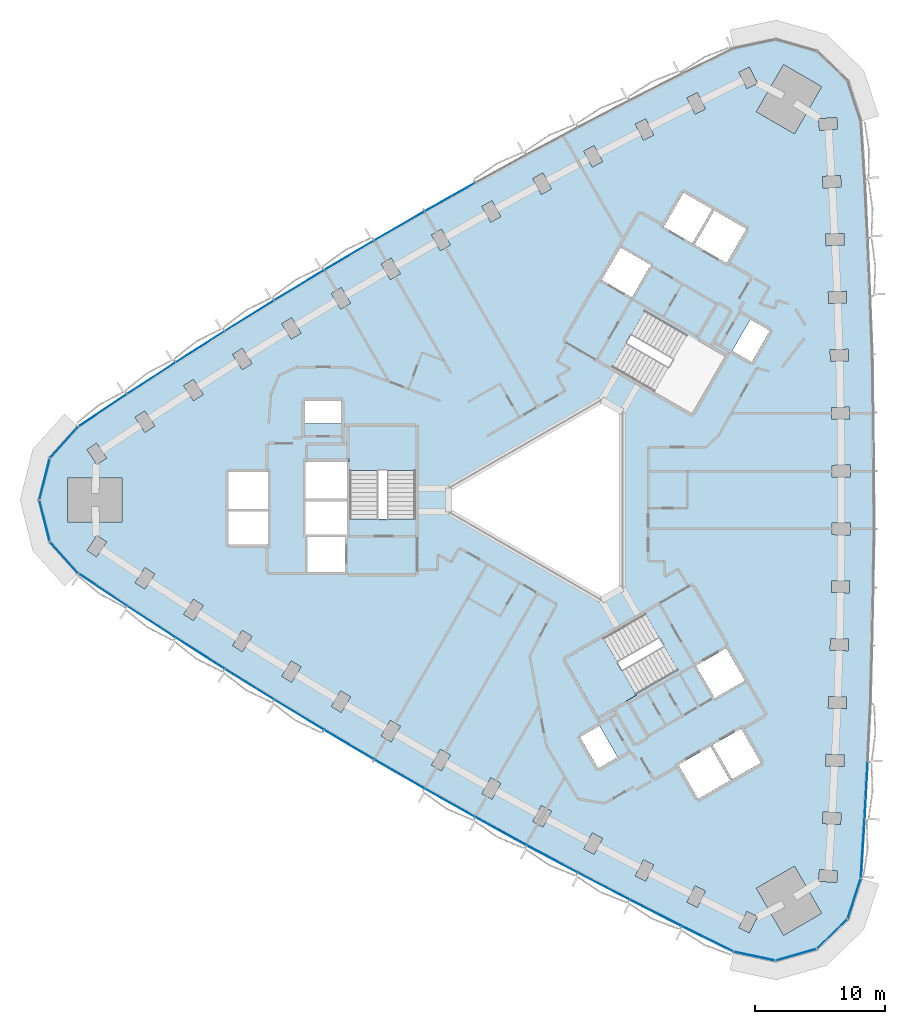
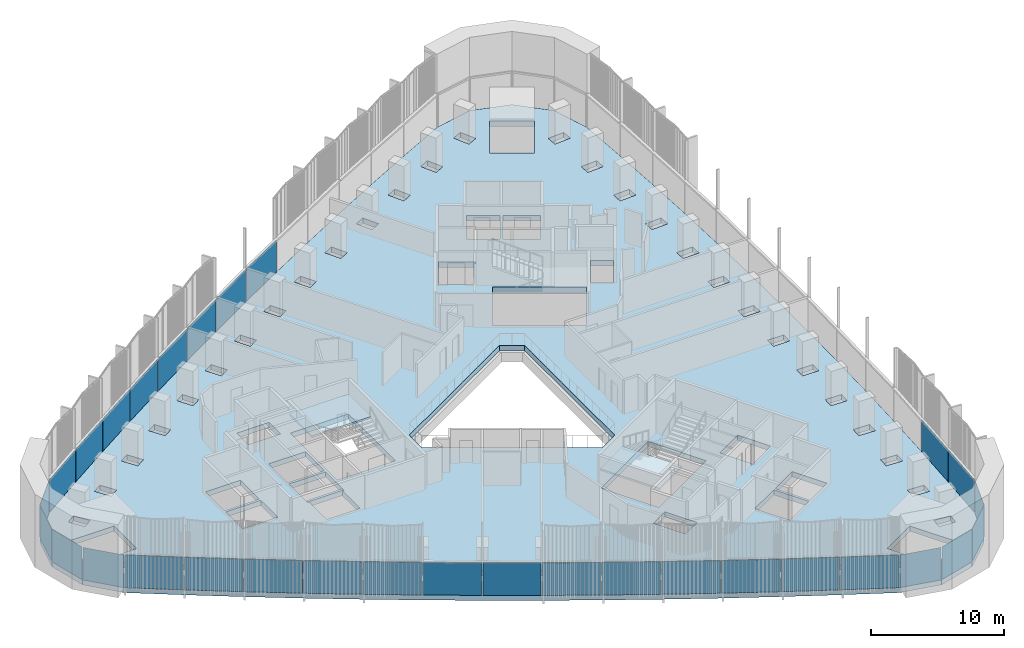
# One storey, part 8 of 16: 31 plates, 3 slabs, 5 elements without a shape of their own.
"""IFC4 building model written with IfcOpenShell, lengths in metres."""

import ifcopenshell
import ifcopenshell.guid

model = None  # the IFC model being written
_history = None  # IfcOwnerHistory: only IFC2X3 demands one
_inside = {}  # id of a spatial element -> (the spatial element, [elements in it])
_under = {}  # id of a project, library or spatial element -> (it, [spatial elements below it])
_declared = {}  # id of a project -> (the project, [libraries it declares])
_typed = {}  # id of a type object -> (the type object, [elements of that type])
_made_of = {}  # id of a material, layer set ... -> (it, [elements and type objects made of it])


def new_model(schema):
    """Start an empty IFC model of exactly this schema.

    Asked for "IFC4X3", IfcOpenShell would pick the latest addendum, in which some entities
    have other attributes; the version numbers below select the first issue.
    IFC2X3 requires an IfcOwnerHistory on every rooted entity: one is made here for all.
    """
    global model, _history
    if schema == "IFC4X3":
        model = ifcopenshell.file(schema_version=(4, 3, 0, 0))
    else:
        model = ifcopenshell.file(schema=schema)
    _inside.clear()
    _under.clear()
    _declared.clear()
    _typed.clear()
    _made_of.clear()
    _history = None
    if model.schema == "IFC2X3":
        org = make("IfcOrganization", Name="unknown")
        user = make(
            "IfcPersonAndOrganization",
            ThePerson=make("IfcPerson", FamilyName="unknown"),
            TheOrganization=org,
        )
        app = make(
            "IfcApplication",
            ApplicationDeveloper=org,
            Version="unknown",
            ApplicationFullName="unknown",
            ApplicationIdentifier="unknown",
        )
        _history = make(
            "IfcOwnerHistory",
            OwningUser=user,
            OwningApplication=app,
            ChangeAction="ADDED",
            CreationDate=0,
        )
    return model


def make(cls, **values):
    """One entity of the class cls with the attributes given. An attribute that is None is left unset."""
    return model.create_entity(
        cls, **{name: value for name, value in values.items() if value is not None}
    )


def rooted(cls, **values):
    """An entity with a GlobalId (a new one), such as an element, a storey or a relation."""
    return make(cls, GlobalId=ifcopenshell.guid.new(), OwnerHistory=_history, **values)


def si_unit(unit_type, name, prefix=None):
    """IfcSIUnit, for example si_unit("LENGTHUNIT", "METRE", prefix="MILLI")."""
    return make("IfcSIUnit", UnitType=unit_type, Prefix=prefix, Name=name)


def assignment(units):
    """IfcUnitAssignment: the units of a project."""
    return None if units is None else make("IfcUnitAssignment", Units=units)


def point(xyz):
    """IfcCartesianPoint."""
    return None if xyz is None else make("IfcCartesianPoint", Coordinates=xyz)


def direction(xyz):
    """IfcDirection."""
    return None if xyz is None else make("IfcDirection", DirectionRatios=xyz)


def frame(location, z_axis=None, x_axis=None):
    """IfcAxis2Placement3D, a coordinate frame: its origin and axes. An axis left out is left unset."""
    return make(
        "IfcAxis2Placement3D",
        Location=point(location),
        Axis=direction(z_axis),
        RefDirection=direction(x_axis),
    )


def frame_2d(location, x_axis=None):
    """IfcAxis2Placement2D, a coordinate frame in the plane: its origin and x axis."""
    return make(
        "IfcAxis2Placement2D", Location=point(location), RefDirection=direction(x_axis)
    )


def origin():
    """The frame at (0, 0, 0) with its axes left unset."""
    return frame((0.0, 0.0, 0.0))


def origin_2d():
    """The frame at (0, 0) in the plane with its x axis left unset."""
    return frame_2d((0.0, 0.0))


def place(relative_to, where):
    """IfcLocalPlacement: puts the frame where relative to a parent placement (None: the world)."""
    return make(
        "IfcLocalPlacement", PlacementRelTo=relative_to, RelativePlacement=where
    )


def context(
    kind, dimensions, precision=None, world=None, true_north=None, identifier=None
):
    """IfcGeometricRepresentationContext, for example the 3D "Model" context."""
    return make(
        "IfcGeometricRepresentationContext",
        ContextIdentifier=identifier,
        ContextType=kind,
        CoordinateSpaceDimension=dimensions,
        Precision=precision,
        WorldCoordinateSystem=world,
        TrueNorth=true_north,
    )


def subcontext(parent, identifier, kind, view, scale=None):
    """IfcGeometricRepresentationSubContext, for example "Body" below "Model"."""
    return make(
        "IfcGeometricRepresentationSubContext",
        ContextIdentifier=identifier,
        ContextType=kind,
        ParentContext=parent,
        TargetScale=scale,
        TargetView=view,
    )


def project(units=None, contexts=None):
    """IfcProject with its units and contexts."""
    return rooted(
        "IfcProject",
        Name="project",
        RepresentationContexts=contexts,
        UnitsInContext=assignment(units),
    )


def spatial(cls, under=None, at=None, **own):
    """A site, building, storey or space (cls), placed at a placement, below another one or the project."""
    s = rooted(cls, ObjectPlacement=at, **own)
    if under is not None:
        _under.setdefault(under.id(), (under, []))[1].append(s)
    return s


def polyline(points):
    """IfcPolyline through the points."""
    return make("IfcPolyline", Points=[point(p) for p in points])


def profile(cls, at=None, kind="AREA", **sizes):
    """A parametric profile (cls). Its sizes go by their IFC names, for example OverallWidth=200.0."""
    return make(cls, ProfileType=kind, Position=at, **sizes)


def rectangle(**sizes):
    """IfcRectangleProfileDef."""
    return profile("IfcRectangleProfileDef", **sizes)


def outline(outer, holes=None, kind="AREA"):
    """IfcArbitraryClosedProfileDef: a profile drawn as a closed curve; with holes, ...WithVoids."""
    if holes is None:
        return make("IfcArbitraryClosedProfileDef", ProfileType=kind, OuterCurve=outer)
    return make(
        "IfcArbitraryProfileDefWithVoids",
        ProfileType=kind,
        OuterCurve=outer,
        InnerCurves=holes,
    )


def extrude(swept, where, along, depth):
    """IfcExtrudedAreaSolid: the profile swept, set in the frame where, extruded along a direction by depth."""
    return make(
        "IfcExtrudedAreaSolid",
        SweptArea=swept,
        Position=where,
        ExtrudedDirection=direction(along),
        Depth=depth,
    )


def shape(context_of_items, identifier, shape_type, items):
    """IfcShapeRepresentation: the items that make up one representation, for example the "Body"."""
    return make(
        "IfcShapeRepresentation",
        ContextOfItems=context_of_items,
        RepresentationIdentifier=identifier,
        RepresentationType=shape_type,
        Items=items,
    )


def material(Name=None, Category=None):
    """IfcMaterial."""
    return make("IfcMaterial", Name=Name, Category=Category)


def layer(
    of_material, thickness, ventilated=None, Name=None, Category=None, Priority=None
):
    """IfcMaterialLayer: one layer of a wall or slab, of a material (None: an air gap)."""
    return make(
        "IfcMaterialLayer",
        Material=of_material,
        LayerThickness=thickness,
        IsVentilated=ventilated,
        Name=Name,
        Category=Category,
        Priority=Priority,
    )


def layer_set(layers, Name=None):
    """IfcMaterialLayerSet."""
    return make("IfcMaterialLayerSet", MaterialLayers=layers, LayerSetName=Name)


def made_of(thing, what):
    """Note that an element or type object is made of a material, layer set ...; save() writes the relation."""
    if what is not None:
        _made_of.setdefault(what.id(), (what, []))[1].append(thing)
    return thing


def type_object(cls, material=None, **own):
    """A type object (cls), such as IfcWallType, which elements share."""
    return made_of(rooted(cls, **own), material)


def element(
    cls,
    number,
    at=None,
    inside=None,
    cuts=None,
    type_object=None,
    material=None,
    context=None,
    identifier="Body",
    shape_type=None,
    held_by="IfcProductDefinitionShape",
    body=None,
    shapes=None,
    **own,
):
    """One element of the class cls, such as IfcWall. Its Tag is "e" and its number.

    at: its placement. inside: the storey or other place that contains it. cuts: it is an
    opening in that element (IfcRelVoidsElement). A single representation is given by context,
    identifier, shape_type and body (its items); several are given by shapes. held_by: the class
    of the entity that holds the representations. save() writes the other relations.
    """
    e = rooted(cls, Tag="e%d" % number, ObjectPlacement=at, **own)
    if body is not None:
        shapes = [shape(context, identifier, shape_type, body)]
    if shapes is not None:
        e.Representation = make(held_by, Representations=shapes)
    if inside is not None:
        _inside.setdefault(inside.id(), (inside, []))[1].append(e)
    if cuts is not None:
        rooted(
            "IfcRelVoidsElement", RelatingBuildingElement=cuts, RelatedOpeningElement=e
        )
    if type_object is not None:
        _typed.setdefault(type_object.id(), (type_object, []))[1].append(e)
    return made_of(e, material)


def aggregate(whole, parts):
    """IfcRelAggregates: a whole, such as a stair, and the parts it consists of."""
    return rooted("IfcRelAggregates", RelatingObject=whole, RelatedObjects=parts)


def save(model, path):
    """Write the relations noted so far, then the file.

    IfcRelAggregates (storeys below a building ...), IfcRelContainedInSpatialStructure (elements
    in a storey), IfcRelDefinesByType, IfcRelAssociatesMaterial and IfcRelDeclares: one each for
    every whole, place, type object, material and project.
    """
    for whole, parts in _under.values():
        aggregate(whole, parts)
    for where, things in _inside.values():
        rooted(
            "IfcRelContainedInSpatialStructure",
            RelatedElements=things,
            RelatingStructure=where,
        )
    for kind, things in _typed.values():
        rooted("IfcRelDefinesByType", RelatedObjects=things, RelatingType=kind)
    for what, things in _made_of.values():
        rooted("IfcRelAssociatesMaterial", RelatedObjects=things, RelatingMaterial=what)
    for by, libraries in _declared.values():
        rooted("IfcRelDeclares", RelatingContext=by, RelatedDefinitions=libraries)
    model.write(path)


model = new_model("IFC4")

# Units and contexts
model_context = context("Model", 3, precision=1e-05, world=origin(), true_north=direction((0.0, 1.0)))
body_context = subcontext(model_context, "Body", "Model", "MODEL_VIEW")
ifc_project = project(units=[si_unit("LENGTHUNIT", "METRE"), si_unit("AREAUNIT", "SQUARE_METRE"), si_unit("VOLUMEUNIT", "CUBIC_METRE"), si_unit("PLANEANGLEUNIT", "RADIAN"), si_unit("MASSUNIT", "GRAM", prefix="KILO")], contexts=[model_context])

# Site, building, storey
site_placement = place(None, origin())
site = spatial("IfcSite", under=ifc_project, at=site_placement, CompositionType="ELEMENT")
building_placement = place(site_placement, origin())
building = spatial("IfcBuilding", under=site, at=building_placement, Name="Tamra Quay Hotel Tower", CompositionType="ELEMENT")
storey_placement = place(building_placement, frame((0.0, 0.0, 56.60009765625)))
storey = spatial("IfcBuildingStorey", under=building, at=storey_placement, Name="L12", CompositionType="ELEMENT", Elevation=56.60009765625)

# Stair, slab
ifc_material_1 = material(Name="Exit stair 2200 24 risers 150.0 going 342")
stair_type = type_object("IfcStairType", Name="Exit stair 2200 24 risers 150.0 going 342", PredefinedType="HALF_TURN_STAIR", material=ifc_material_1)
stair_1_placement = place(storey_placement, origin())
stair_1 = element("IfcStair", 1, at=stair_1_placement, inside=storey, type_object=stair_type, Name="L12 Exit stair ST3", PredefinedType="HALF_TURN_STAIR")
ifc_material_2 = material(Name="Concrete M70", Category="concrete")
ifc_layer_1 = layer(ifc_material_2, 0.175048828125)
ifc_layer_set_1 = layer_set([ifc_layer_1], Name="Concrete M70 stair landing 180")
slab_type_1 = type_object("IfcSlabType", Name="Concrete M70 stair landing 180", PredefinedType="LANDING", material=ifc_layer_set_1)
slab_1_placement = place(storey_placement, frame((0.0, 0.0, 1.625)))
slab_1 = element("IfcSlab", 2, at=slab_1_placement, type_object=slab_type_1, Name="ST3 landing 1", PredefinedType="LANDING", context=body_context, shape_type="SweptSolid", body=[
    extrude(outline(polyline([(-10.932373046875, 2.261962890625), (-10.932373046875, 5.679931640625), (-16.09130859375, 5.679931640625), (-16.09130859375, 2.261962890625), (-10.932373046875, 2.261962890625)])), origin(), (0.0, 0.0, 1.0), 0.1748046875),
])
aggregate(stair_1, [slab_1])

stair_2_placement = place(storey_placement, origin())
stair_2 = element("IfcStair", 3, at=stair_2_placement, inside=storey, type_object=stair_type, Name="L12 Exit stair ST2", PredefinedType="HALF_TURN_STAIR")
slab_2_placement = place(storey_placement, frame((0.0, 0.0, 1.625)))
slab_2 = element("IfcSlab", 4, at=slab_2_placement, type_object=slab_type_1, Name="ST2 landing 1", PredefinedType="LANDING", context=body_context, shape_type="SweptSolid", body=[
    extrude(outline(polyline([(3.50732421875, -10.5986328125), (0.547119140625, -12.3076171875), (3.126708984375, -16.775390625), (6.086669921875, -15.06640625), (3.50732421875, -10.5986328125)])), origin(), (0.0, 0.0, 1.0), 0.1748046875),
])
aggregate(stair_2, [slab_2])

# Slab
ifc_material_3 = material(Name="Concrete M60", Category="concrete")
ifc_layer_2 = layer(ifc_material_3, 0.47509765625)
ifc_layer_set_2 = layer_set([ifc_layer_2], Name="FLOOR SLAB PT 475")
slab_type_2 = type_object("IfcSlabType", Name="FLOOR SLAB PT 475", PredefinedType="FLOOR", material=ifc_layer_set_2)
slab_3_placement = place(storey_placement, frame((0.0, 0.0, -0.47509765625)))
element("IfcSlab", 5, at=slab_3_placement, inside=storey, type_object=slab_type_2, Name="SLAB-L12", PredefinedType="FLOOR", context=body_context, shape_type="SweptSolid", body=[
    extrude(outline(polyline([(23.699951171875, 24.723876953125), (23.943115234375, 20.231689453125), (24.137939453125, 15.738525390625), (24.283935546875, 11.24365234375), (24.38134765625, 6.74560546875), (24.43017578125, 2.248779296875), (24.43017578125, -2.248779296875), (24.38134765625, -6.74560546875), (24.283935546875, -11.24365234375), (24.137939453125, -15.738525390625), (23.943115234375, -20.231689453125), (23.699951171875, -24.723876953125), (23.40869140625, -29.210693359375), (22.386474609375, -32.356201171875), (20.00732421875, -34.65380859375), (16.828125, -35.5654296875), (13.593017578125, -34.877685546875), (9.5615234375, -32.88671875), (5.54931640625, -30.851318359375), (1.56103515625, -28.773193359375), (-2.40478515625, -26.65234375), (-6.3486328125, -24.48779296875), (-10.267578125, -22.281494140625), (-14.162353515625, -20.03271484375), (-18.03271484375, -17.741943359375), (-21.879150390625, -15.40869140625), (-25.698974609375, -13.034912109375), (-29.49267578125, -10.61962890625), (-33.261474609375, -8.162841796875), (-37.001708984375, -5.6669921875), (-39.214599609375, -3.208984375), (-40.0146484375, 0.0), (-39.214599609375, 3.208984375), (-37.001708984375, 5.6669921875), (-33.261474609375, 8.162841796875), (-29.49267578125, 10.61962890625), (-25.698974609375, 13.034912109375), (-21.879150390625, 15.40869140625), (-18.03271484375, 17.741943359375), (-14.162353515625, 20.03271484375), (-10.267578125, 22.281494140625), (-6.3486328125, 24.48779296875), (-2.40478515625, 26.65234375), (1.56103515625, 28.773193359375), (5.54931640625, 30.851318359375), (9.5615234375, 32.88671875), (13.593017578125, 34.877685546875), (16.828125, 35.5654296875), (20.00732421875, 34.65380859375), (22.386474609375, 32.356201171875), (23.40869140625, 29.210693359375), (23.699951171875, 24.723876953125)]), holes=[polyline([(-17.475830078125, -15.935791015625), (-16.70361328125, -16.39794921875), (-15.984375, -15.19677734375), (-16.756591796875, -14.734619140625), (-17.475830078125, -15.935791015625)]), polyline([(-20.56884765625, -12.416015625), (-21.3017578125, -13.60888671875), (-20.534912109375, -14.080078125), (-19.802001953125, -12.88720703125), (-20.56884765625, -12.416015625)]), polyline([(-24.357177734375, -10.05615234375), (-25.102294921875, -11.2412109375), (-24.340576171875, -11.72021484375), (-23.59521484375, -10.53515625), (-24.357177734375, -10.05615234375)]), polyline([(-28.11962890625, -7.6552734375), (-28.87744140625, -8.83251953125), (-28.12060546875, -9.319580078125), (-27.36279296875, -8.142578125), (-28.11962890625, -7.6552734375)]), polyline([(-31.854736328125, -5.21435546875), (-32.6259765625, -6.3828125), (-31.874755859375, -6.878662109375), (-31.103515625, -5.710205078125), (-31.854736328125, -5.21435546875)]), polyline([(-16.3173828125, -2.85498046875), (-19.4072265625, -2.85498046875), (-19.4072265625, -2.89306640625), (-19.307373046875, -2.89306640625), (-19.307373046875, -5.544921875), (-16.417236328125, -5.544921875), (-16.417236328125, -2.89306640625), (-16.3173828125, -2.89306640625), (-16.3173828125, -2.85498046875)]), polyline([(-35.565185546875, -2.73291015625), (-36.347900390625, -3.8935546875), (-35.601806640625, -4.396728515625), (-34.819091796875, -3.236083984375), (-35.565185546875, -2.73291015625)]), polyline([(-22.3671875, -3.445068359375), (-22.3671875, -0.905029296875), (-25.4072265625, -0.905029296875), (-25.4072265625, -3.445068359375), (-22.3671875, -3.445068359375)]), polyline([(-19.417236328125, -2.89306640625), (-19.417236328125, -2.64501953125), (-16.307373046875, -2.64501953125), (-16.307373046875, -2.89306640625), (-16.26708984375, -2.89306640625), (-16.26708984375, -0.10498046875), (-19.45751953125, -0.10498046875), (-19.45751953125, -2.89306640625), (-19.417236328125, -2.89306640625)]), polyline([(-33.62890625, 1.699951171875), (-37.828857421875, 1.699951171875), (-37.828857421875, -1.699951171875), (-33.62890625, -1.699951171875), (-33.62890625, 1.699951171875)]), polyline([(-25.4072265625, -0.695068359375), (-22.3671875, -0.695068359375), (-22.3671875, 2.14501953125), (-25.4072265625, 2.14501953125), (-25.4072265625, -0.695068359375)]), polyline([(-19.45751953125, 0.10498046875), (-16.26708984375, 0.10498046875), (-16.26708984375, 2.945068359375), (-19.45751953125, 2.945068359375), (-19.45751953125, 0.10498046875)]), polyline([(-16.036376953125, -1.455078125), (-10.9873046875, -1.455078125), (-10.9873046875, 5.625), (-16.036376953125, 5.625), (-16.036376953125, -1.455078125)]), polyline([(-34.819091796875, 3.236083984375), (-35.601806640625, 4.396728515625), (-36.347900390625, 3.8935546875), (-35.565185546875, 2.73291015625), (-34.819091796875, 3.236083984375)]), polyline([(-31.103515625, 5.710205078125), (-31.874755859375, 6.878662109375), (-32.6259765625, 6.3828125), (-31.854736328125, 5.21435546875), (-31.103515625, 5.710205078125)]), polyline([(-16.71728515625, 7.64501953125), (-19.50732421875, 7.64501953125), (-19.50732421875, 5.9150390625), (-16.71728515625, 5.9150390625), (-16.71728515625, 7.64501953125)]), polyline([(-27.36279296875, 8.142578125), (-28.12060546875, 9.319580078125), (-28.87744140625, 8.83251953125), (-28.11962890625, 7.6552734375), (-27.36279296875, 8.142578125)]), polyline([(-23.59521484375, 10.53515625), (-24.340576171875, 11.72021484375), (-25.102294921875, 11.2412109375), (-24.357177734375, 10.05615234375), (-23.59521484375, 10.53515625)]), polyline([(-19.802001953125, 12.88720703125), (-20.534912109375, 14.080078125), (-21.3017578125, 13.60888671875), (-20.56884765625, 12.416015625), (-19.802001953125, 12.88720703125)]), polyline([(-15.984375, 15.19677734375), (-16.70361328125, 16.39794921875), (-17.475830078125, 15.935791015625), (-16.756591796875, 14.734619140625), (-15.984375, 15.19677734375)]), polyline([(-12.141357421875, 17.466064453125), (-12.84765625, 18.6748046875), (-13.624755859375, 18.220703125), (-12.918212890625, 17.011962890625), (-12.141357421875, 17.466064453125)]), polyline([(10.606689453125, -29.79150390625), (9.980224609375, -31.04345703125), (10.78515625, -31.4462890625), (11.41162109375, -30.194091796875), (10.606689453125, -29.79150390625)]), polyline([(6.6298828125, -27.76806640625), (5.9892578125, -29.012939453125), (6.78955078125, -29.4248046875), (7.43017578125, -28.179931640625), (6.6298828125, -27.76806640625)]), polyline([(2.673828125, -25.70166015625), (2.02001953125, -26.939697265625), (2.81591796875, -27.35986328125), (3.4697265625, -26.121826171875), (2.673828125, -25.70166015625)]), polyline([(-1.259521484375, -23.5927734375), (-1.92626953125, -24.82373046875), (-1.134765625, -25.252197265625), (-0.46826171875, -24.021240234375), (-1.259521484375, -23.5927734375)]), polyline([(-5.168701171875, -21.44140625), (-5.849365234375, -22.664794921875), (-5.06298828125, -23.102294921875), (-4.382080078125, -21.87890625), (-5.168701171875, -21.44140625)]), polyline([(13.3056640625, -21.65576171875), (11.78564453125, -19.02294921875), (9.325927734375, -20.443115234375), (10.845947265625, -23.075927734375), (13.3056640625, -21.65576171875)]), polyline([(-9.055419921875, -19.247802734375), (-9.7490234375, -20.4638671875), (-8.96728515625, -20.90966796875), (-8.273681640625, -19.693603515625), (-9.055419921875, -19.247802734375)]), polyline([(1.73779296875, -18.300048828125), (3.1328125, -20.71630859375), (4.631103515625, -19.851318359375), (3.236083984375, -17.43505859375), (1.73779296875, -18.300048828125)]), polyline([(-12.918212890625, -17.011962890625), (-13.624755859375, -18.220703125), (-12.84765625, -18.6748046875), (-12.141357421875, -17.466064453125), (-12.918212890625, -17.011962890625)]), polyline([(10.68115234375, -12.790283203125), (12.05615234375, -15.171875), (11.969482421875, -15.2216796875), (12.03955078125, -15.343017578125), (14.455810546875, -13.947998046875), (13.0107421875, -11.4453125), (10.68115234375, -12.790283203125)]), polyline([(9.2783203125, -13.160400390625), (6.75390625, -8.78759765625), (0.622314453125, -12.32763671875), (3.146728515625, -16.7001953125), (9.2783203125, -13.160400390625)]), polyline([(3.39990234375, 7.736572265625), (-8.39990234375, 0.923828125), (-8.39990234375, -0.923828125), (3.39990234375, -7.736572265625), (5.0, -6.812744140625), (5.0, 6.812744140625), (3.39990234375, 7.736572265625)]), polyline([(6.758056640625, 14.615478515625), (4.2333984375, 10.242919921875), (10.364990234375, 6.702880859375), (12.889404296875, 11.075439453125), (6.758056640625, 14.615478515625)]), polyline([(5.736083984375, 15.645263671875), (7.111083984375, 18.02685546875), (7.19775390625, 17.976806640625), (7.267578125, 18.09814453125), (4.8515625, 19.4931640625), (3.406494140625, 16.990234375), (5.736083984375, 15.645263671875)]), polyline([(-8.273681640625, 19.693603515625), (-8.96728515625, 20.90966796875), (-9.7490234375, 20.4638671875), (-9.055419921875, 19.247802734375), (-8.273681640625, 19.693603515625)]), polyline([(8.2001953125, 21.093017578125), (10.39990234375, 19.822998046875), (11.919921875, 22.455810546875), (9.72021484375, 23.725830078125), (8.2001953125, 21.093017578125)]), polyline([(-4.382080078125, 21.87890625), (-5.06298828125, 23.102294921875), (-5.849365234375, 22.664794921875), (-5.168701171875, 21.44140625), (-4.382080078125, 21.87890625)]), polyline([(-0.46826171875, 24.021240234375), (-1.134765625, 25.252197265625), (-1.92626953125, 24.82373046875), (-1.259521484375, 23.5927734375), (-0.46826171875, 24.021240234375)]), polyline([(3.4697265625, 26.121826171875), (2.81591796875, 27.35986328125), (2.02001953125, 26.939697265625), (2.673828125, 25.70166015625), (3.4697265625, 26.121826171875)]), polyline([(7.43017578125, 28.179931640625), (6.78955078125, 29.4248046875), (5.9892578125, 29.012939453125), (6.6298828125, 27.76806640625), (7.43017578125, 28.179931640625)]), polyline([(11.41162109375, 30.194091796875), (10.78515625, 31.4462890625), (9.980224609375, 31.04345703125), (10.606689453125, 29.79150390625), (11.41162109375, 30.194091796875)]), polyline([(14.60693359375, -31.772216796875), (13.993408203125, -33.030517578125), (14.80224609375, -33.425048828125), (15.416015625, -32.166748046875), (14.60693359375, -31.772216796875)]), polyline([(15.34228515625, -29.973388671875), (17.442138671875, -33.61083984375), (20.38671875, -31.910888671875), (18.28662109375, -28.2734375), (15.34228515625, -29.973388671875)]), polyline([(20.1494140625, -29.43408203125), (21.5458984375, -29.53173828125), (21.608642578125, -28.6337890625), (20.212158203125, -28.5361328125), (20.1494140625, -29.43408203125)]), polyline([(20.443115234375, -24.979736328125), (21.840576171875, -25.0634765625), (21.894287109375, -24.1650390625), (20.496826171875, -24.081298828125), (20.443115234375, -24.979736328125)]), polyline([(20.689453125, -20.524658203125), (22.087890625, -20.59228515625), (22.13134765625, -19.693359375), (20.73291015625, -19.625732421875), (20.689453125, -20.524658203125)]), polyline([(14.1669921875, -17.648193359375), (11.96728515625, -18.91796875), (13.487548828125, -21.55078125), (15.68701171875, -20.281005859375), (14.1669921875, -17.648193359375)]), polyline([(20.887451171875, -16.06591796875), (22.286376953125, -16.11865234375), (22.3203125, -15.219482421875), (20.92138671875, -15.16650390625), (20.887451171875, -16.06591796875)]), polyline([(21.037109375, -11.60498046875), (22.4365234375, -11.643310546875), (22.461181640625, -10.74365234375), (21.0615234375, -10.70556640625), (21.037109375, -11.60498046875)]), polyline([(21.138916015625, -7.144287109375), (22.538818359375, -7.16650390625), (22.552978515625, -6.2666015625), (21.153076171875, -6.244384765625), (21.138916015625, -7.144287109375)]), polyline([(21.19189453125, -2.681640625), (22.591796875, -2.68896484375), (22.5966796875, -1.7890625), (21.19677734375, -1.781494140625), (21.19189453125, -2.681640625)]), polyline([(21.19677734375, 1.781494140625), (22.5966796875, 1.7890625), (22.591796875, 2.68896484375), (21.19189453125, 2.681640625), (21.19677734375, 1.781494140625)]), polyline([(21.153076171875, 6.244384765625), (22.552978515625, 6.2666015625), (22.538818359375, 7.16650390625), (21.138916015625, 7.144287109375), (21.153076171875, 6.244384765625)]), polyline([(21.0615234375, 10.70556640625), (22.461181640625, 10.74365234375), (22.4365234375, 11.643310546875), (21.037109375, 11.60498046875), (21.0615234375, 10.70556640625)]), polyline([(14.9794921875, 10.655029296875), (16.37451171875, 13.0712890625), (14.876220703125, 13.936279296875), (13.481201171875, 11.52001953125), (14.9794921875, 10.655029296875)]), polyline([(20.92138671875, 15.16650390625), (22.3203125, 15.219482421875), (22.286376953125, 16.11865234375), (20.887451171875, 16.06591796875), (20.92138671875, 15.16650390625)]), polyline([(20.73291015625, 19.625732421875), (22.13134765625, 19.693359375), (22.087890625, 20.59228515625), (20.689453125, 20.524658203125), (20.73291015625, 19.625732421875)]), polyline([(12.101806640625, 22.350830078125), (10.58154296875, 19.718017578125), (13.041259765625, 18.298095703125), (14.561279296875, 20.930908203125), (12.101806640625, 22.350830078125)]), polyline([(20.496826171875, 24.081298828125), (21.894287109375, 24.1650390625), (21.840576171875, 25.0634765625), (20.443115234375, 24.979736328125), (20.496826171875, 24.081298828125)]), polyline([(20.212158203125, 28.5361328125), (21.608642578125, 28.6337890625), (21.5458984375, 29.53173828125), (20.1494140625, 29.43408203125), (20.212158203125, 28.5361328125)]), polyline([(18.28662109375, 28.2734375), (20.38671875, 31.910888671875), (17.442138671875, 33.61083984375), (15.34228515625, 29.973388671875), (18.28662109375, 28.2734375)]), polyline([(15.416015625, 32.166748046875), (14.80224609375, 33.425048828125), (13.993408203125, 33.030517578125), (14.60693359375, 31.772216796875), (15.416015625, 32.166748046875)])]), origin(), (0.0, 0.0, 1.0), 0.47509765625),
])

# Curtain wall, plates
ifc_material_4 = material(Name="Aluminium 6063 anodised dark grey", Category="aluminium")
curtain_wall_type_1 = type_object("IfcCurtainWallType", Name="CW1 CURTAIN WALL", PredefinedType="NOTDEFINED", material=ifc_material_4)
curtain_wall_1_placement = place(storey_placement, origin())
curtain_wall_1 = element("IfcCurtainWall", 6, at=curtain_wall_1_placement, inside=storey, type_object=curtain_wall_type_1, Name="CW1 east face L12", PredefinedType="NOTDEFINED")
ifc_material_5 = material(Name="Glass clear laminated low-iron", Category="glass")
ifc_layer_3 = layer(ifc_material_5, 0.035888671875)
ifc_layer_set_3 = layer_set([ifc_layer_3], Name="GLASS PANEL CW1 Z1")
plate_type_1 = type_object("IfcPlateType", Name="GLASS PANEL CW1 Z1", PredefinedType="CURTAIN_PANEL", material=ifc_layer_set_3)
plate_1_placement = place(storey_placement, frame((23.55419921875, -26.96728515625, 0.0), z_axis=(0.0, 0.0, 1.0), x_axis=(0.064813097616, 0.997897420769, 0.0)))
plate_1 = element("IfcPlate", 7, at=plate_1_placement, type_object=plate_type_1, Name="CW1 glass L12.E.1", PredefinedType="CURTAIN_PANEL", context=body_context, shape_type="SweptSolid", body=[
    extrude(rectangle(XDim=4.396484375, YDim=0.035888671875, at=origin_2d()), origin(), (0.0, 0.0, 1.0), 2.985107421875),
])
plate_2_placement = place(storey_placement, frame((23.821533203125, -22.477783203125, 0.0), z_axis=(0.0, 0.0, 1.0), x_axis=(0.054062119595, 0.998537574268, 0.0)))
plate_2 = element("IfcPlate", 8, at=plate_2_placement, type_object=plate_type_1, Name="CW1 glass L12.E.2", PredefinedType="CURTAIN_PANEL", context=body_context, shape_type="SweptSolid", body=[
    extrude(rectangle(XDim=4.39892578125, YDim=0.035888671875, at=origin_2d()), origin(), (0.0, 0.0, 1.0), 2.985107421875),
])
aggregate(curtain_wall_1, [plate_1, plate_2])

curtain_wall_type_2 = type_object("IfcCurtainWallType", Name="CW2 CURTAIN WALL", PredefinedType="NOTDEFINED", material=ifc_material_4)
curtain_wall_2_placement = place(storey_placement, origin())
curtain_wall_2 = element("IfcCurtainWall", 9, at=curtain_wall_2_placement, inside=storey, type_object=curtain_wall_type_2, Name="CW2 north-west face L12", PredefinedType="NOTDEFINED")
ifc_layer_4 = layer(ifc_material_5, 0.035888671875)
ifc_layer_set_4 = layer_set([ifc_layer_4], Name="GLASS PANEL CW2 Z1")
plate_type_2 = type_object("IfcPlateType", Name="GLASS PANEL CW2 Z1", PredefinedType="CURTAIN_PANEL", material=ifc_layer_set_4)
plate_3_placement = place(storey_placement, frame((-8.30810546875, 23.384521484375, 0.0), z_axis=(0.0, 0.0, 1.0), x_axis=(-0.871392472945, -0.490586544959, 0.0)))
plate_3 = element("IfcPlate", 10, at=plate_3_placement, type_object=plate_type_2, Name="CW2 glass L12.NW.6", PredefinedType="CURTAIN_PANEL", context=body_context, shape_type="SweptSolid", body=[
    extrude(rectangle(XDim=4.397216796875, YDim=0.035888671875, at=origin_2d()), origin(), (0.0, 0.0, 1.0), 2.985107421875),
])
plate_4_placement = place(storey_placement, frame((-12.215087890625, 21.156982421875, 0.0), z_axis=(0.0, 0.0, 1.0), x_axis=(-0.866025403784, -0.5, 0.0)))
plate_4 = element("IfcPlate", 11, at=plate_4_placement, type_object=plate_type_2, Name="CW2 glass L12.NW.7", PredefinedType="CURTAIN_PANEL", context=body_context, shape_type="SweptSolid", body=[
    extrude(rectangle(XDim=4.397216796875, YDim=0.035888671875, at=origin_2d()), origin(), (0.0, 0.0, 1.0), 2.985107421875),
])
plate_5_placement = place(storey_placement, frame((-16.09765625, 18.887451171875, 0.0), z_axis=(0.0, 0.0, 1.0), x_axis=(-0.860556647162, -0.509354745757, 0.0)))
plate_5 = element("IfcPlate", 12, at=plate_5_placement, type_object=plate_type_2, Name="CW2 glass L12.NW.8", PredefinedType="CURTAIN_PANEL", context=body_context, shape_type="SweptSolid", body=[
    extrude(rectangle(XDim=4.397216796875, YDim=0.035888671875, at=origin_2d()), origin(), (0.0, 0.0, 1.0), 2.985107421875),
])
plate_6_placement = place(storey_placement, frame((-19.955810546875, 16.575439453125, 0.0), z_axis=(0.0, 0.0, 1.0), x_axis=(-0.85499355735, -0.51863861878, 0.0)))
plate_6 = element("IfcPlate", 13, at=plate_6_placement, type_object=plate_type_2, Name="CW2 glass L12.NW.9", PredefinedType="CURTAIN_PANEL", context=body_context, shape_type="SweptSolid", body=[
    extrude(rectangle(XDim=4.39892578125, YDim=0.035888671875, at=origin_2d()), origin(), (0.0, 0.0, 1.0), 2.985107421875),
])
plate_7_placement = place(storey_placement, frame((-23.7890625, 14.2216796875, 0.0), z_axis=(0.0, 0.0, 1.0), x_axis=(-0.849331223164, -0.527860278254, 0.0)))
plate_7 = element("IfcPlate", 14, at=plate_7_placement, type_object=plate_type_2, Name="CW2 glass L12.NW.10", PredefinedType="CURTAIN_PANEL", context=body_context, shape_type="SweptSolid", body=[
    extrude(rectangle(XDim=4.397216796875, YDim=0.035888671875, at=origin_2d()), origin(), (0.0, 0.0, 1.0), 2.985107421875),
])
plate_8_placement = place(storey_placement, frame((-27.595703125, 11.8271484375, 0.0), z_axis=(0.0, 0.0, 1.0), x_axis=(-0.84357098627, -0.537017682319, 0.0)))
plate_8 = element("IfcPlate", 15, at=plate_8_placement, type_object=plate_type_2, Name="CW2 glass L12.NW.11", PredefinedType="CURTAIN_PANEL", context=body_context, shape_type="SweptSolid", body=[
    extrude(rectangle(XDim=4.397216796875, YDim=0.035888671875, at=origin_2d()), origin(), (0.0, 0.0, 1.0), 2.985107421875),
])
plate_9_placement = place(storey_placement, frame((-31.376953125, 9.391357421875, 0.0), z_axis=(0.0, 0.0, 1.0), x_axis=(-0.837727846152, -0.546087956086, 0.0)))
plate_9 = element("IfcPlate", 16, at=plate_9_placement, type_object=plate_type_2, Name="CW2 glass L12.NW.12", PredefinedType="CURTAIN_PANEL", context=body_context, shape_type="SweptSolid", body=[
    extrude(rectangle(XDim=4.39892578125, YDim=0.035888671875, at=origin_2d()), origin(), (0.0, 0.0, 1.0), 2.985107421875),
])
plate_10_placement = place(storey_placement, frame((-35.131591796875, 6.9150390625, 0.0), z_axis=(0.0, 0.0, 1.0), x_axis=(-0.831797967949, -0.555078499418, 0.0)))
plate_10 = element("IfcPlate", 17, at=plate_10_placement, type_object=plate_type_2, Name="CW2 glass L12.NW.13", PredefinedType="CURTAIN_PANEL", context=body_context, shape_type="SweptSolid", body=[
    extrude(rectangle(XDim=4.396484375, YDim=0.035888671875, at=origin_2d()), origin(), (0.0, 0.0, 1.0), 2.985107421875),
])
plate_11_placement = place(storey_placement, frame((-38.108154296875, 4.43798828125, 0.0), z_axis=(0.0, 0.0, 1.0), x_axis=(-0.669112198553, -0.743161399527, 0.0)))
plate_11 = element("IfcPlate", 18, at=plate_11_placement, type_object=plate_type_2, Name="CW2 glass L12.NW.14", PredefinedType="CURTAIN_PANEL", context=body_context, shape_type="SweptSolid", body=[
    extrude(rectangle(XDim=3.207275390625, YDim=0.035888671875, at=origin_2d()), origin(), (0.0, 0.0, 1.0), 2.985107421875),
])
plate_12_placement = place(storey_placement, frame((-39.61474609375, 1.6044921875, 0.0), z_axis=(0.0, 0.0, 1.0), x_axis=(-0.241913884219, -0.970297723702, 0.0)))
plate_12 = element("IfcPlate", 19, at=plate_12_placement, type_object=plate_type_2, Name="CW2 glass L12.NW.15", PredefinedType="CURTAIN_PANEL", context=body_context, shape_type="SweptSolid", body=[
    extrude(rectangle(XDim=3.207275390625, YDim=0.035888671875, at=origin_2d()), origin(), (0.0, 0.0, 1.0), 2.985107421875),
])
plate_13_placement = place(storey_placement, frame((-39.61474609375, -1.6044921875, 0.0), z_axis=(0.0, 0.0, 1.0), x_axis=(0.24191388422, -0.970297723702, 0.0)))
plate_13 = element("IfcPlate", 20, at=plate_13_placement, type_object=plate_type_2, Name="CW2 glass L12.NW.16", PredefinedType="CURTAIN_PANEL", context=body_context, shape_type="SweptSolid", body=[
    extrude(rectangle(XDim=3.207275390625, YDim=0.035888671875, at=origin_2d()), origin(), (0.0, 0.0, 1.0), 2.985107421875),
])
plate_14_placement = place(storey_placement, frame((-38.108154296875, -4.43798828125, 0.0), z_axis=(0.0, 0.0, 1.0), x_axis=(0.669112198553, -0.743161399527, 0.0)))
plate_14 = element("IfcPlate", 21, at=plate_14_placement, type_object=plate_type_2, Name="CW2 glass L12.NW.17", PredefinedType="CURTAIN_PANEL", context=body_context, shape_type="SweptSolid", body=[
    extrude(rectangle(XDim=3.207275390625, YDim=0.035888671875, at=origin_2d()), origin(), (0.0, 0.0, 1.0), 2.985107421875),
])
aggregate(curtain_wall_2, [plate_3, plate_4, plate_5, plate_6, plate_7, plate_8, plate_9, plate_10, plate_11, plate_12, plate_13, plate_14])

curtain_wall_type_3 = type_object("IfcCurtainWallType", Name="CW3 CURTAIN WALL", PredefinedType="NOTDEFINED", material=ifc_material_4)
curtain_wall_3_placement = place(storey_placement, origin())
curtain_wall_3 = element("IfcCurtainWall", 22, at=curtain_wall_3_placement, inside=storey, type_object=curtain_wall_type_3, Name="CW3 south-west face L12", PredefinedType="NOTDEFINED")
ifc_layer_5 = layer(ifc_material_5, 0.035888671875)
ifc_layer_set_5 = layer_set([ifc_layer_5], Name="GLASS PANEL CW3 Z1")
plate_type_3 = type_object("IfcPlateType", Name="GLASS PANEL CW3 Z1", PredefinedType="CURTAIN_PANEL", material=ifc_layer_set_5)
plate_15_placement = place(storey_placement, frame((-35.131591796875, -6.9150390625, 0.0), z_axis=(0.0, 0.0, 1.0), x_axis=(0.831797967949, -0.555078499418, 0.0)))
plate_15 = element("IfcPlate", 23, at=plate_15_placement, type_object=plate_type_3, Name="CW3 glass L12.SW.1", PredefinedType="CURTAIN_PANEL", context=body_context, shape_type="SweptSolid", body=[
    extrude(rectangle(XDim=4.396484375, YDim=0.035888671875, at=origin_2d()), origin(), (0.0, 0.0, 1.0), 2.985107421875),
])
plate_16_placement = place(storey_placement, frame((-31.376953125, -9.391357421875, 0.0), z_axis=(0.0, 0.0, 1.0), x_axis=(0.837727846152, -0.546087956086, 0.0)))
plate_16 = element("IfcPlate", 24, at=plate_16_placement, type_object=plate_type_3, Name="CW3 glass L12.SW.2", PredefinedType="CURTAIN_PANEL", context=body_context, shape_type="SweptSolid", body=[
    extrude(rectangle(XDim=4.39892578125, YDim=0.035888671875, at=origin_2d()), origin(), (0.0, 0.0, 1.0), 2.985107421875),
])
plate_17_placement = place(storey_placement, frame((-27.595703125, -11.8271484375, 0.0), z_axis=(0.0, 0.0, 1.0), x_axis=(0.84357098627, -0.537017682319, 0.0)))
plate_17 = element("IfcPlate", 25, at=plate_17_placement, type_object=plate_type_3, Name="CW3 glass L12.SW.3", PredefinedType="CURTAIN_PANEL", context=body_context, shape_type="SweptSolid", body=[
    extrude(rectangle(XDim=4.397216796875, YDim=0.035888671875, at=origin_2d()), origin(), (0.0, 0.0, 1.0), 2.985107421875),
])
plate_18_placement = place(storey_placement, frame((-23.7890625, -14.2216796875, 0.0), z_axis=(0.0, 0.0, 1.0), x_axis=(0.849331223164, -0.527860278254, 0.0)))
plate_18 = element("IfcPlate", 26, at=plate_18_placement, type_object=plate_type_3, Name="CW3 glass L12.SW.4", PredefinedType="CURTAIN_PANEL", context=body_context, shape_type="SweptSolid", body=[
    extrude(rectangle(XDim=4.397216796875, YDim=0.035888671875, at=origin_2d()), origin(), (0.0, 0.0, 1.0), 2.985107421875),
])
plate_19_placement = place(storey_placement, frame((-19.955810546875, -16.575439453125, 0.0), z_axis=(0.0, 0.0, 1.0), x_axis=(0.85499355735, -0.51863861878, 0.0)))
plate_19 = element("IfcPlate", 27, at=plate_19_placement, type_object=plate_type_3, Name="CW3 glass L12.SW.5", PredefinedType="CURTAIN_PANEL", context=body_context, shape_type="SweptSolid", body=[
    extrude(rectangle(XDim=4.39892578125, YDim=0.035888671875, at=origin_2d()), origin(), (0.0, 0.0, 1.0), 2.985107421875),
])
plate_20_placement = place(storey_placement, frame((-16.09765625, -18.887451171875, 0.0), z_axis=(0.0, 0.0, 1.0), x_axis=(0.860556647162, -0.509354745757, 0.0)))
plate_20 = element("IfcPlate", 28, at=plate_20_placement, type_object=plate_type_3, Name="CW3 glass L12.SW.6", PredefinedType="CURTAIN_PANEL", context=body_context, shape_type="SweptSolid", body=[
    extrude(rectangle(XDim=4.397216796875, YDim=0.035888671875, at=origin_2d()), origin(), (0.0, 0.0, 1.0), 2.985107421875),
])
plate_21_placement = place(storey_placement, frame((-12.215087890625, -21.156982421875, 0.0), z_axis=(0.0, 0.0, 1.0), x_axis=(0.866025403784, -0.5, 0.0)))
plate_21 = element("IfcPlate", 29, at=plate_21_placement, type_object=plate_type_3, Name="CW3 glass L12.SW.7", PredefinedType="CURTAIN_PANEL", context=body_context, shape_type="SweptSolid", body=[
    extrude(rectangle(XDim=4.397216796875, YDim=0.035888671875, at=origin_2d()), origin(), (0.0, 0.0, 1.0), 2.985107421875),
])
plate_22_placement = place(storey_placement, frame((-8.30810546875, -23.384521484375, 0.0), z_axis=(0.0, 0.0, 1.0), x_axis=(0.871392472945, -0.490586544959, 0.0)))
plate_22 = element("IfcPlate", 30, at=plate_22_placement, type_object=plate_type_3, Name="CW3 glass L12.SW.8", PredefinedType="CURTAIN_PANEL", context=body_context, shape_type="SweptSolid", body=[
    extrude(rectangle(XDim=4.397216796875, YDim=0.035888671875, at=origin_2d()), origin(), (0.0, 0.0, 1.0), 2.985107421875),
])
plate_23_placement = place(storey_placement, frame((-4.376708984375, -25.570068359375, 0.0), z_axis=(0.0, 0.0, 1.0), x_axis=(0.876650997922, -0.481126831347, 0.0)))
plate_23 = element("IfcPlate", 31, at=plate_23_placement, type_object=plate_type_3, Name="CW3 glass L12.SW.9", PredefinedType="CURTAIN_PANEL", context=body_context, shape_type="SweptSolid", body=[
    extrude(rectangle(XDim=4.39892578125, YDim=0.035888671875, at=origin_2d()), origin(), (0.0, 0.0, 1.0), 2.985107421875),
])
plate_24_placement = place(storey_placement, frame((-0.421875, -27.712890625, 0.0), z_axis=(0.0, 0.0, 1.0), x_axis=(0.881806022199, -0.47161227636, 0.0)))
plate_24 = element("IfcPlate", 32, at=plate_24_placement, type_object=plate_type_3, Name="CW3 glass L12.SW.10", PredefinedType="CURTAIN_PANEL", context=body_context, shape_type="SweptSolid", body=[
    extrude(rectangle(XDim=4.397216796875, YDim=0.035888671875, at=origin_2d()), origin(), (0.0, 0.0, 1.0), 2.985107421875),
])
plate_25_placement = place(storey_placement, frame((3.55517578125, -29.812255859375, 0.0), z_axis=(0.0, 0.0, 1.0), x_axis=(0.886856448305, -0.462045062846, 0.0)))
plate_25 = element("IfcPlate", 33, at=plate_25_placement, type_object=plate_type_3, Name="CW3 glass L12.SW.11", PredefinedType="CURTAIN_PANEL", context=body_context, shape_type="SweptSolid", body=[
    extrude(rectangle(XDim=4.397216796875, YDim=0.035888671875, at=origin_2d()), origin(), (0.0, 0.0, 1.0), 2.985107421875),
])
plate_26_placement = place(storey_placement, frame((7.555419921875, -31.868896484375, 0.0), z_axis=(0.0, 0.0, 1.0), x_axis=(0.891789965747, -0.452449618182, 0.0)))
plate_26 = element("IfcPlate", 34, at=plate_26_placement, type_object=plate_type_3, Name="CW3 glass L12.SW.12", PredefinedType="CURTAIN_PANEL", context=body_context, shape_type="SweptSolid", body=[
    extrude(rectangle(XDim=4.39892578125, YDim=0.035888671875, at=origin_2d()), origin(), (0.0, 0.0, 1.0), 2.985107421875),
])
plate_27_placement = place(storey_placement, frame((11.5771484375, -33.88232421875, 0.0), z_axis=(0.0, 0.0, 1.0), x_axis=(0.896611065565, -0.442818921351, 0.0)))
plate_27 = element("IfcPlate", 35, at=plate_27_placement, type_object=plate_type_3, Name="CW3 glass L12.SW.13", PredefinedType="CURTAIN_PANEL", context=body_context, shape_type="SweptSolid", body=[
    extrude(rectangle(XDim=4.396484375, YDim=0.035888671875, at=origin_2d()), origin(), (0.0, 0.0, 1.0), 2.985107421875),
])
plate_28_placement = place(storey_placement, frame((15.210693359375, -35.2216796875, 0.0), z_axis=(0.0, 0.0, 1.0), x_axis=(0.978152750379, -0.207887462165, 0.0)))
plate_28 = element("IfcPlate", 36, at=plate_28_placement, type_object=plate_type_3, Name="CW3 glass L12.SW.14", PredefinedType="CURTAIN_PANEL", context=body_context, shape_type="SweptSolid", body=[
    extrude(rectangle(XDim=3.207275390625, YDim=0.035888671875, at=origin_2d()), origin(), (0.0, 0.0, 1.0), 2.985107421875),
])
plate_29_placement = place(storey_placement, frame((18.417724609375, -35.109619140625, 0.0), z_axis=(0.0, 0.0, 1.0), x_axis=(0.96125942007, 0.275645292589, 0.0)))
plate_29 = element("IfcPlate", 37, at=plate_29_placement, type_object=plate_type_3, Name="CW3 glass L12.SW.15", PredefinedType="CURTAIN_PANEL", context=body_context, shape_type="SweptSolid", body=[
    extrude(rectangle(XDim=3.207275390625, YDim=0.035888671875, at=origin_2d()), origin(), (0.0, 0.0, 1.0), 2.985107421875),
])
plate_30_placement = place(storey_placement, frame((21.197021484375, -33.5048828125, 0.0), z_axis=(0.0, 0.0, 1.0), x_axis=(0.719345535851, 0.694652431113, 0.0)))
plate_30 = element("IfcPlate", 38, at=plate_30_placement, type_object=plate_type_3, Name="CW3 glass L12.SW.16", PredefinedType="CURTAIN_PANEL", context=body_context, shape_type="SweptSolid", body=[
    extrude(rectangle(XDim=3.207275390625, YDim=0.035888671875, at=origin_2d()), origin(), (0.0, 0.0, 1.0), 2.985107421875),
])
plate_31_placement = place(storey_placement, frame((22.8974609375, -30.783447265625, 0.0), z_axis=(0.0, 0.0, 1.0), x_axis=(0.309040551826, 0.951048861693, 0.0)))
plate_31 = element("IfcPlate", 39, at=plate_31_placement, type_object=plate_type_3, Name="CW3 glass L12.SW.17", PredefinedType="CURTAIN_PANEL", context=body_context, shape_type="SweptSolid", body=[
    extrude(rectangle(XDim=3.207275390625, YDim=0.035888671875, at=origin_2d()), origin(), (0.0, 0.0, 1.0), 2.985107421875),
])
aggregate(curtain_wall_3, [plate_15, plate_16, plate_17, plate_18, plate_19, plate_20, plate_21, plate_22, plate_23, plate_24, plate_25, plate_26, plate_27, plate_28, plate_29, plate_30, plate_31])

save(model, "model.ifc")
